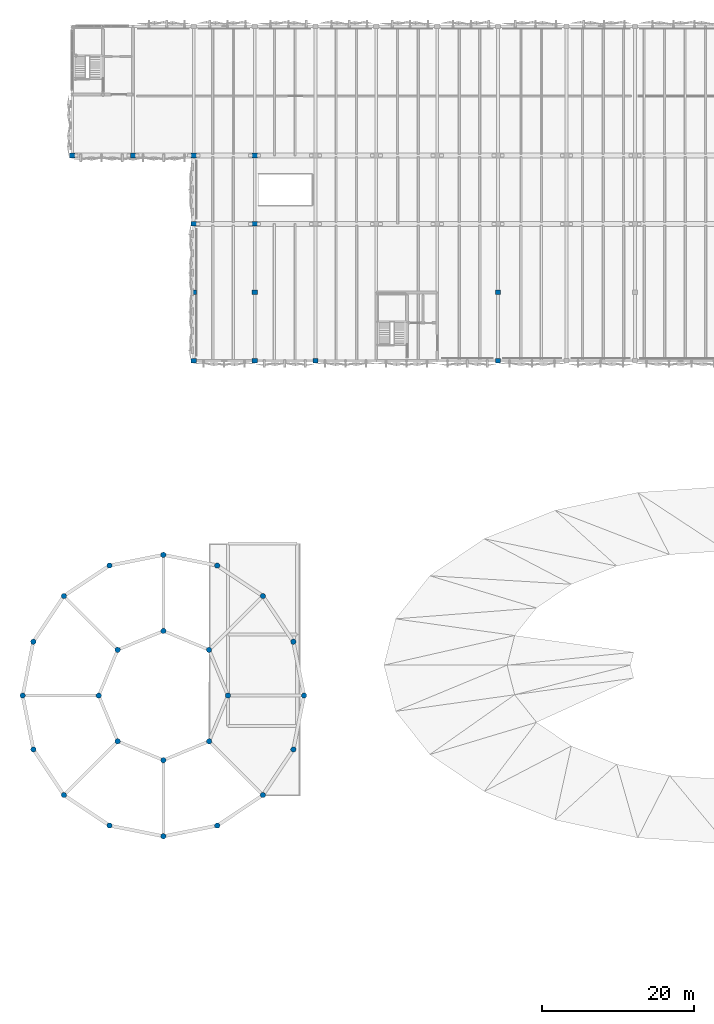
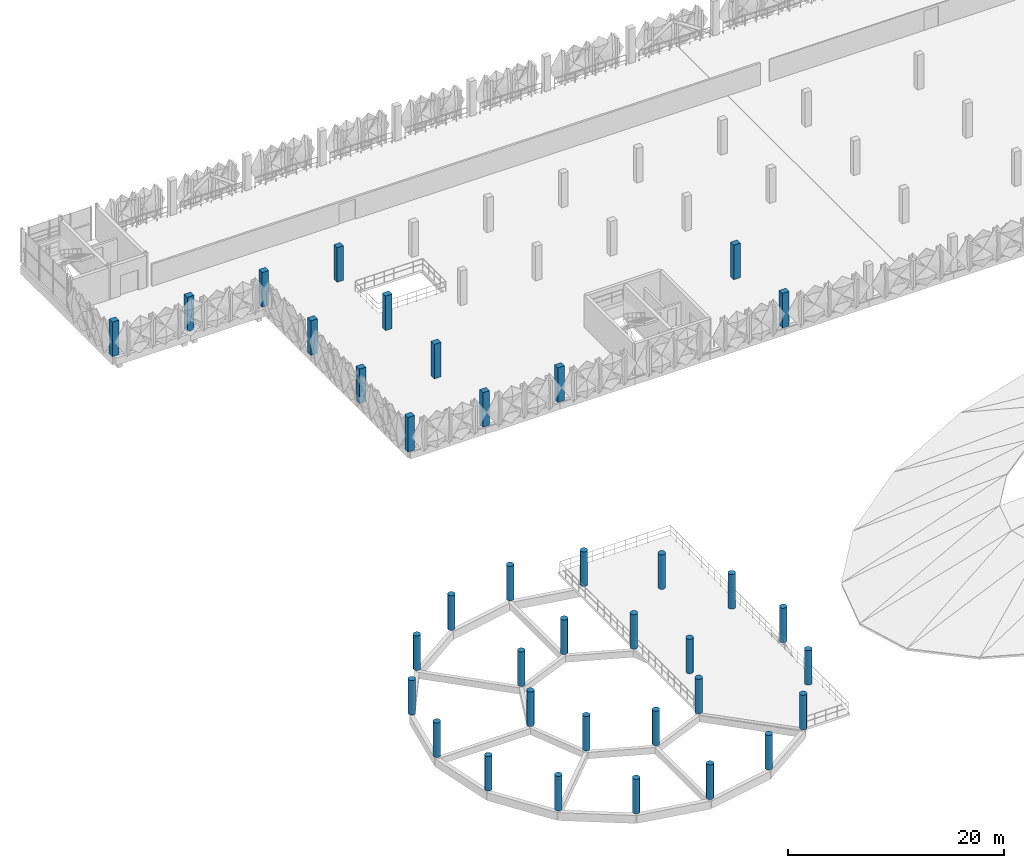
# One storey, part 1 of 52: 37 columns.
"""IFC4 building model written with IfcOpenShell, lengths in metres."""

import ifcopenshell
import ifcopenshell.guid

model = None  # the IFC model being written
_history = None  # IfcOwnerHistory: only IFC2X3 demands one
_inside = {}  # id of a spatial element -> (the spatial element, [elements in it])
_under = {}  # id of a project, library or spatial element -> (it, [spatial elements below it])
_declared = {}  # id of a project -> (the project, [libraries it declares])
_typed = {}  # id of a type object -> (the type object, [elements of that type])
_made_of = {}  # id of a material, layer set ... -> (it, [elements and type objects made of it])


def new_model(schema):
    """Start an empty IFC model of exactly this schema.

    Asked for "IFC4X3", IfcOpenShell would pick the latest addendum, in which some entities
    have other attributes; the version numbers below select the first issue.
    IFC2X3 requires an IfcOwnerHistory on every rooted entity: one is made here for all.
    """
    global model, _history
    if schema == "IFC4X3":
        model = ifcopenshell.file(schema_version=(4, 3, 0, 0))
    else:
        model = ifcopenshell.file(schema=schema)
    _inside.clear()
    _under.clear()
    _declared.clear()
    _typed.clear()
    _made_of.clear()
    _history = None
    if model.schema == "IFC2X3":
        org = make("IfcOrganization", Name="unknown")
        user = make(
            "IfcPersonAndOrganization",
            ThePerson=make("IfcPerson", FamilyName="unknown"),
            TheOrganization=org,
        )
        app = make(
            "IfcApplication",
            ApplicationDeveloper=org,
            Version="unknown",
            ApplicationFullName="unknown",
            ApplicationIdentifier="unknown",
        )
        _history = make(
            "IfcOwnerHistory",
            OwningUser=user,
            OwningApplication=app,
            ChangeAction="ADDED",
            CreationDate=0,
        )
    return model


def make(cls, **values):
    """One entity of the class cls with the attributes given. An attribute that is None is left unset."""
    return model.create_entity(
        cls, **{name: value for name, value in values.items() if value is not None}
    )


def rooted(cls, **values):
    """An entity with a GlobalId (a new one), such as an element, a storey or a relation."""
    return make(cls, GlobalId=ifcopenshell.guid.new(), OwnerHistory=_history, **values)


def si_unit(unit_type, name, prefix=None):
    """IfcSIUnit, for example si_unit("LENGTHUNIT", "METRE", prefix="MILLI")."""
    return make("IfcSIUnit", UnitType=unit_type, Prefix=prefix, Name=name)


def derived_unit(unit_type, elements):
    """IfcDerivedUnit: a product of units, each with its exponent."""
    return make(
        "IfcDerivedUnit",
        Elements=[
            make("IfcDerivedUnitElement", Unit=unit, Exponent=power)
            for unit, power in elements
        ],
        UnitType=unit_type,
    )


def assignment(units):
    """IfcUnitAssignment: the units of a project."""
    return None if units is None else make("IfcUnitAssignment", Units=units)


def point(xyz):
    """IfcCartesianPoint."""
    return None if xyz is None else make("IfcCartesianPoint", Coordinates=xyz)


def direction(xyz):
    """IfcDirection."""
    return None if xyz is None else make("IfcDirection", DirectionRatios=xyz)


def frame(location, z_axis=None, x_axis=None):
    """IfcAxis2Placement3D, a coordinate frame: its origin and axes. An axis left out is left unset."""
    return make(
        "IfcAxis2Placement3D",
        Location=point(location),
        Axis=direction(z_axis),
        RefDirection=direction(x_axis),
    )


def frame_2d(location, x_axis=None):
    """IfcAxis2Placement2D, a coordinate frame in the plane: its origin and x axis."""
    return make(
        "IfcAxis2Placement2D", Location=point(location), RefDirection=direction(x_axis)
    )


def origin():
    """The frame at (0, 0, 0) with its axes left unset."""
    return frame((0.0, 0.0, 0.0))


def origin_2d():
    """The frame at (0, 0) in the plane with its x axis left unset."""
    return frame_2d((0.0, 0.0))


def place(relative_to, where):
    """IfcLocalPlacement: puts the frame where relative to a parent placement (None: the world)."""
    return make(
        "IfcLocalPlacement", PlacementRelTo=relative_to, RelativePlacement=where
    )


def context(
    kind, dimensions, precision=None, world=None, true_north=None, identifier=None
):
    """IfcGeometricRepresentationContext, for example the 3D "Model" context."""
    return make(
        "IfcGeometricRepresentationContext",
        ContextIdentifier=identifier,
        ContextType=kind,
        CoordinateSpaceDimension=dimensions,
        Precision=precision,
        WorldCoordinateSystem=world,
        TrueNorth=true_north,
    )


def subcontext(parent, identifier, kind, view, scale=None):
    """IfcGeometricRepresentationSubContext, for example "Body" below "Model"."""
    return make(
        "IfcGeometricRepresentationSubContext",
        ContextIdentifier=identifier,
        ContextType=kind,
        ParentContext=parent,
        TargetScale=scale,
        TargetView=view,
    )


def project(units=None, contexts=None):
    """IfcProject with its units and contexts."""
    return rooted(
        "IfcProject",
        Name="project",
        RepresentationContexts=contexts,
        UnitsInContext=assignment(units),
    )


def spatial(cls, under=None, at=None, **own):
    """A site, building, storey or space (cls), placed at a placement, below another one or the project."""
    s = rooted(cls, ObjectPlacement=at, **own)
    if under is not None:
        _under.setdefault(under.id(), (under, []))[1].append(s)
    return s


def profile(cls, at=None, kind="AREA", **sizes):
    """A parametric profile (cls). Its sizes go by their IFC names, for example OverallWidth=200.0."""
    return make(cls, ProfileType=kind, Position=at, **sizes)


def rectangle(**sizes):
    """IfcRectangleProfileDef."""
    return profile("IfcRectangleProfileDef", **sizes)


def circle(**sizes):
    """IfcCircleProfileDef."""
    return profile("IfcCircleProfileDef", **sizes)


def extrude(swept, where, along, depth):
    """IfcExtrudedAreaSolid: the profile swept, set in the frame where, extruded along a direction by depth."""
    return make(
        "IfcExtrudedAreaSolid",
        SweptArea=swept,
        Position=where,
        ExtrudedDirection=direction(along),
        Depth=depth,
    )


def shape(context_of_items, identifier, shape_type, items):
    """IfcShapeRepresentation: the items that make up one representation, for example the "Body"."""
    return make(
        "IfcShapeRepresentation",
        ContextOfItems=context_of_items,
        RepresentationIdentifier=identifier,
        RepresentationType=shape_type,
        Items=items,
    )


def material(Name=None, Category=None):
    """IfcMaterial."""
    return make("IfcMaterial", Name=Name, Category=Category)


def material_profile(
    of_material, cross_section, Name=None, Category=None, Priority=None
):
    """IfcMaterialProfile: a cross section and its material."""
    return make(
        "IfcMaterialProfile",
        Name=Name,
        Material=of_material,
        Profile=cross_section,
        Priority=Priority,
        Category=Category,
    )


def profile_set(profiles, Name=None, composite=None):
    """IfcMaterialProfileSet."""
    return make(
        "IfcMaterialProfileSet",
        Name=Name,
        MaterialProfiles=profiles,
        CompositeProfile=composite,
    )


def made_of(thing, what):
    """Note that an element or type object is made of a material, layer set ...; save() writes the relation."""
    if what is not None:
        _made_of.setdefault(what.id(), (what, []))[1].append(thing)
    return thing


def type_object(cls, material=None, **own):
    """A type object (cls), such as IfcWallType, which elements share."""
    return made_of(rooted(cls, **own), material)


def element(
    cls,
    number,
    at=None,
    inside=None,
    cuts=None,
    type_object=None,
    material=None,
    context=None,
    identifier="Body",
    shape_type=None,
    held_by="IfcProductDefinitionShape",
    body=None,
    shapes=None,
    **own,
):
    """One element of the class cls, such as IfcWall. Its Tag is "e" and its number.

    at: its placement. inside: the storey or other place that contains it. cuts: it is an
    opening in that element (IfcRelVoidsElement). A single representation is given by context,
    identifier, shape_type and body (its items); several are given by shapes. held_by: the class
    of the entity that holds the representations. save() writes the other relations.
    """
    e = rooted(cls, Tag="e%d" % number, ObjectPlacement=at, **own)
    if body is not None:
        shapes = [shape(context, identifier, shape_type, body)]
    if shapes is not None:
        e.Representation = make(held_by, Representations=shapes)
    if inside is not None:
        _inside.setdefault(inside.id(), (inside, []))[1].append(e)
    if cuts is not None:
        rooted(
            "IfcRelVoidsElement", RelatingBuildingElement=cuts, RelatedOpeningElement=e
        )
    if type_object is not None:
        _typed.setdefault(type_object.id(), (type_object, []))[1].append(e)
    return made_of(e, material)


def aggregate(whole, parts):
    """IfcRelAggregates: a whole, such as a stair, and the parts it consists of."""
    return rooted("IfcRelAggregates", RelatingObject=whole, RelatedObjects=parts)


def save(model, path):
    """Write the relations noted so far, then the file.

    IfcRelAggregates (storeys below a building ...), IfcRelContainedInSpatialStructure (elements
    in a storey), IfcRelDefinesByType, IfcRelAssociatesMaterial and IfcRelDeclares: one each for
    every whole, place, type object, material and project.
    """
    for whole, parts in _under.values():
        aggregate(whole, parts)
    for where, things in _inside.values():
        rooted(
            "IfcRelContainedInSpatialStructure",
            RelatedElements=things,
            RelatingStructure=where,
        )
    for kind, things in _typed.values():
        rooted("IfcRelDefinesByType", RelatedObjects=things, RelatingType=kind)
    for what, things in _made_of.values():
        rooted("IfcRelAssociatesMaterial", RelatedObjects=things, RelatingMaterial=what)
    for by, libraries in _declared.values():
        rooted("IfcRelDeclares", RelatingContext=by, RelatedDefinitions=libraries)
    model.write(path)


model = new_model("IFC4")

# Units and contexts
model_context = context("Model", 3, precision=1e-05, world=origin(), true_north=direction((0.0, 1.0)))
body_context = subcontext(model_context, "Body", "Model", "MODEL_VIEW")
ifc_project = project(units=[si_unit("LENGTHUNIT", "METRE"), si_unit("AREAUNIT", "SQUARE_METRE"), si_unit("VOLUMEUNIT", "CUBIC_METRE"), si_unit("PLANEANGLEUNIT", "RADIAN"), si_unit("MASSUNIT", "GRAM", prefix="KILO"), si_unit("THERMODYNAMICTEMPERATUREUNIT", "KELVIN"), derived_unit("THERMALTRANSMITTANCEUNIT", [(si_unit("POWERUNIT", "WATT"), 1), (si_unit("AREAUNIT", "SQUARE_METRE"), -1), (si_unit("THERMODYNAMICTEMPERATUREUNIT", "KELVIN"), -1)])], contexts=[model_context])

# Site, building, storey
site_placement = place(None, origin())
site = spatial("IfcSite", under=ifc_project, at=site_placement, CompositionType="ELEMENT")
building_placement = place(site_placement, origin())
building = spatial("IfcBuilding", under=site, at=building_placement, Name="Haiyu Intermodal Mobility Hub", CompositionType="ELEMENT")
storey_placement = place(building_placement, frame((0.0, 0.0, 21.199951171875)))
storey = spatial("IfcBuildingStorey", under=building, at=storey_placement, Name="L05", CompositionType="ELEMENT", Elevation=21.199951171875)

# Columns
ifc_material_1 = material(Name="Precast concrete C40", Category="concrete")
ifc_material_profile_1 = material_profile(ifc_material_1, rectangle(XDim=0.699951171875, YDim=0.60009765625, at=origin_2d()), Name="C700x600")
ifc_profile_set_1 = profile_set([ifc_material_profile_1], Name="Precast concrete C40")
column_type_1 = type_object("IfcColumnType", Name="COL-CC21", PredefinedType="COLUMN", material=ifc_profile_set_1)
for number, where, z_axis, x_axis, name in (
    (1, (30.0, 131.0, 0.0), (0.0, 0.0, 1.0), (1.0, 0.0, 0.0), "Column V4-3Q L05"),
    (2, (38.0, 122.0, 0.0), (0.0, 0.0, 1.0), (1.0, 0.0, 0.0), "Column V4-4P L05"),
    (3, (38.0, 131.0, 0.0), (0.0, 0.0, 1.0), (1.0, 0.0, 0.0), "Column V4-4Q L05"),
    (4, (46.0, 122.0, 0.0), (0.0, 0.0, 1.0), (1.0, 0.0, 0.0), "Column V4-5P L05"),
    (5, (46.0, 131.0, 0.0), (0.0, 0.0, 1.0), (1.0, 0.0, 0.0), "Column V4-5Q L05"),
    (6, (38.0, 113.0, 0.0), (0.0, 0.0, 1.0), (1.0, 0.0, 0.0), "Column V3S-4N L05"),
    (7, (46.0, 113.0, 0.0), (0.0, 0.0, 1.0), (1.0, 0.0, 0.0), "Column V3S-5N L05"),
    (8, (78.0, 113.0, 0.0), (0.0, 0.0, 1.0), (1.0, 0.0, 0.0), "Column V3S-9N L05"),
):
    element("IfcColumn", number, at=place(storey_placement, frame(where, z_axis=z_axis, x_axis=x_axis)), inside=storey, type_object=column_type_1, Name=name, PredefinedType="COLUMN", context=body_context, shape_type="SweptSolid", body=[
        extrude(rectangle(XDim=0.699951171875, YDim=0.60009765625, at=origin_2d()), origin(), (0.0, 0.0, 1.0), 3.900146484375),
    ])
ifc_material_profile_2 = material_profile(ifc_material_1, rectangle(XDim=0.699951171875, YDim=0.60009765625, at=origin_2d()), Name="C700x600")
ifc_profile_set_2 = profile_set([ifc_material_profile_2], Name="Precast concrete C40")
column_type_2 = type_object("IfcColumnType", Name="COL-CC21-EXT", PredefinedType="COLUMN", material=ifc_profile_set_2)
for number, where, z_axis, x_axis, name in (
    (9, (22.0, 131.0, 0.0), (0.0, 0.0, 1.0), (1.0, 0.0, 0.0), "Column V4-2Q L05"),
    (10, (38.0, 104.0, 0.0), (0.0, 0.0, 1.0), (1.0, 0.0, 0.0), "Column V4-4M L05"),
    (11, (46.0, 104.0, 0.0), (0.0, 0.0, 1.0), (1.0, 0.0, 0.0), "Column V4-5M L05"),
    (12, (54.0, 104.0, 0.0), (0.0, 0.0, 1.0), (1.0, 0.0, 0.0), "Column V4-6M L05"),
    (13, (78.0, 104.0, 0.0), (0.0, 0.0, 1.0), (1.0, 0.0, 0.0), "Column V4-9M L05"),
):
    element("IfcColumn", number, at=place(storey_placement, frame(where, z_axis=z_axis, x_axis=x_axis)), inside=storey, type_object=column_type_2, Name=name, PredefinedType="COLUMN", context=body_context, shape_type="SweptSolid", body=[
        extrude(rectangle(XDim=0.699951171875, YDim=0.60009765625, at=origin_2d()), origin(), (0.0, 0.0, 1.0), 3.900146484375),
    ])
ifc_material_2 = material(Name="Concrete C40", Category="concrete")
ifc_material_profile_3 = material_profile(ifc_material_2, circle(Radius=0.35009765625, at=origin_2d()), Name="RCCOL-D700")
ifc_profile_set_3 = profile_set([ifc_material_profile_3], Name="Concrete C40")
column_type_3 = type_object("IfcColumnType", Name="COL-CR02", PredefinedType="COLUMN", material=ifc_profile_set_3)
for number, where, z_axis, x_axis, name in (
    (14, (42.5, 60.0, 0.0), (0.0, 0.0, 1.0), (1.0, 0.0, 0.0), "Column V2I-01 L05"),
    (15, (40.010009765625, 66.010009765625, 0.0), (0.0, 0.0, 1.0), (1.0, 0.0, 0.0), "Column V2I-02 L05"),
    (16, (34.0, 68.5, 0.0), (0.0, 0.0, 1.0), (1.0, 0.0, 0.0), "Column V2I-03 L05"),
    (17, (27.989990234375, 66.010009765625, 0.0), (0.0, 0.0, 1.0), (1.0, 0.0, 0.0), "Column V2I-04 L05"),
    (18, (25.5, 60.0, 0.0), (0.0, 0.0, 1.0), (1.0, 0.0, 0.0), "Column V2I-05 L05"),
    (19, (27.989990234375, 53.989990234375, 0.0), (0.0, 0.0, 1.0), (1.0, 0.0, 0.0), "Column V2I-06 L05"),
    (20, (34.0, 51.5, 0.0), (0.0, 0.0, 1.0), (1.0, 0.0, 0.0), "Column V2I-07 L05"),
    (21, (40.010009765625, 53.989990234375, 0.0), (0.0, 0.0, 1.0), (1.0, 0.0, 0.0), "Column V2I-08 L05"),
):
    element("IfcColumn", number, at=place(storey_placement, frame(where, z_axis=z_axis, x_axis=x_axis)), inside=storey, type_object=column_type_3, Name=name, PredefinedType="COLUMN", context=body_context, shape_type="SweptSolid", body=[
        extrude(circle(Radius=0.35009765625, at=origin_2d()), origin(), (0.0, 0.0, 1.0), 3.900146484375),
    ])
ifc_material_profile_4 = material_profile(ifc_material_2, circle(Radius=0.35009765625, at=origin_2d()), Name="RCCOL-D700")
ifc_profile_set_4 = profile_set([ifc_material_profile_4], Name="Concrete C40")
column_type_4 = type_object("IfcColumnType", Name="COL-CR02-EXT", PredefinedType="COLUMN", material=ifc_profile_set_4)
for number, where, z_axis, x_axis, name in (
    (22, (52.5, 60.0, 0.0), (0.0, 0.0, 1.0), (1.0, 0.0, 0.0), "Column V2O-01 L05"),
    (23, (51.092041015625, 67.080078125, 0.0), (0.0, 0.0, 1.0), (1.0, 0.0, 0.0), "Column V2O-02 L05"),
    (24, (47.0810546875, 73.0810546875, 0.0), (0.0, 0.0, 1.0), (1.0, 0.0, 0.0), "Column V2O-03 L05"),
    (25, (41.080078125, 77.092041015625, 0.0), (0.0, 0.0, 1.0), (1.0, 0.0, 0.0), "Column V2O-04 L05"),
    (26, (34.0, 78.5, 0.0), (0.0, 0.0, 1.0), (1.0, 0.0, 0.0), "Column V2O-05 L05"),
    (27, (26.919921875, 77.092041015625, 0.0), (0.0, 0.0, 1.0), (1.0, 0.0, 0.0), "Column V2O-06 L05"),
    (28, (20.9189453125, 73.0810546875, 0.0), (0.0, 0.0, 1.0), (1.0, 0.0, 0.0), "Column V2O-07 L05"),
    (29, (16.907958984375, 67.080078125, 0.0), (0.0, 0.0, 1.0), (1.0, 0.0, 0.0), "Column V2O-08 L05"),
    (30, (15.5, 60.0, 0.0), (0.0, 0.0, 1.0), (1.0, 0.0, 0.0), "Column V2O-09 L05"),
    (31, (16.907958984375, 52.919921875, 0.0), (0.0, 0.0, 1.0), (1.0, 0.0, 0.0), "Column V2O-10 L05"),
    (32, (20.9189453125, 46.9189453125, 0.0), (0.0, 0.0, 1.0), (1.0, 0.0, 0.0), "Column V2O-11 L05"),
    (33, (26.919921875, 42.907958984375, 0.0), (0.0, 0.0, 1.0), (1.0, 0.0, 0.0), "Column V2O-12 L05"),
    (34, (34.0, 41.5, 0.0), (0.0, 0.0, 1.0), (1.0, 0.0, 0.0), "Column V2O-13 L05"),
    (35, (41.080078125, 42.907958984375, 0.0), (0.0, 0.0, 1.0), (1.0, 0.0, 0.0), "Column V2O-14 L05"),
    (36, (47.0810546875, 46.9189453125, 0.0), (0.0, 0.0, 1.0), (1.0, 0.0, 0.0), "Column V2O-15 L05"),
    (37, (51.092041015625, 52.919921875, 0.0), (0.0, 0.0, 1.0), (1.0, 0.0, 0.0), "Column V2O-16 L05"),
):
    element("IfcColumn", number, at=place(storey_placement, frame(where, z_axis=z_axis, x_axis=x_axis)), inside=storey, type_object=column_type_4, Name=name, PredefinedType="COLUMN", context=body_context, shape_type="SweptSolid", body=[
        extrude(circle(Radius=0.35009765625, at=origin_2d()), origin(), (0.0, 0.0, 1.0), 3.900146484375),
    ])

save(model, "model.ifc")
